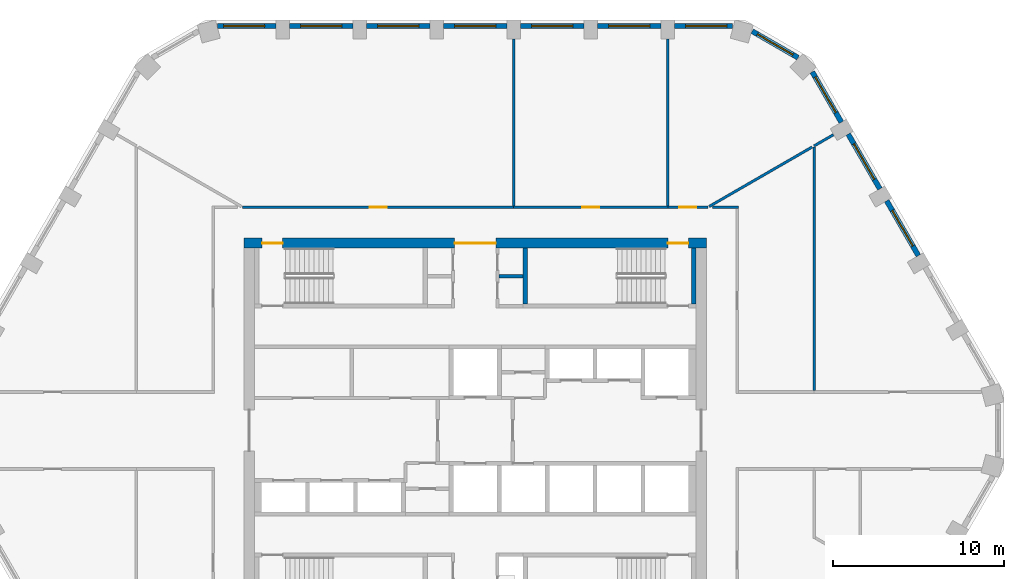
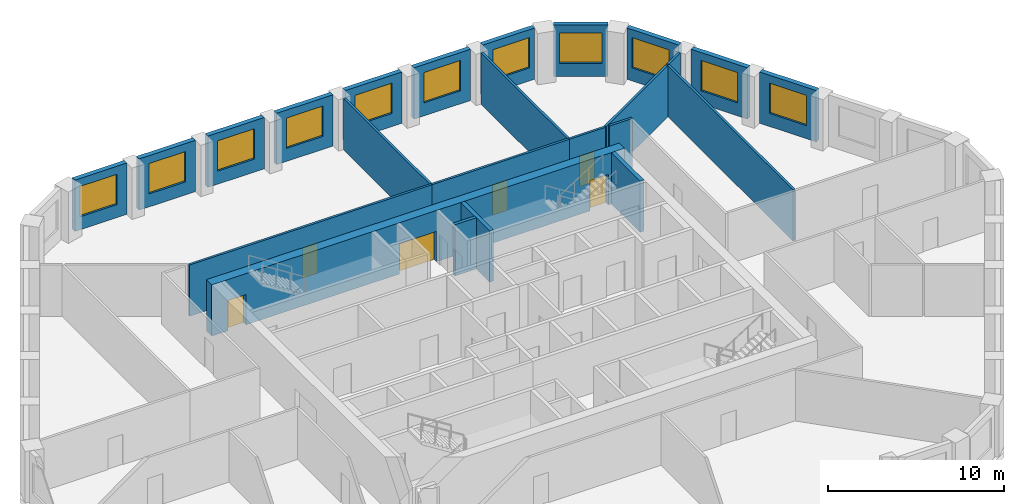
# One storey, part 6 of 8: 24 walls, 11 windows, 6 doors, 17 openings.
"""IFC4 building model written with IfcOpenShell, lengths in metres."""

from ifc_helpers import new_model, si_unit, direction, frame, frame_2d, origin, place, context, subcontext, project, spatial, rectangle, extrude, material, layer, layer_set, type_object, element, fill, save


model = new_model("IFC4")

# Units and contexts
model_context = context("Model", 3, precision=1e-05, world=origin(), true_north=direction((0.0, 1.0)))
body_context = subcontext(model_context, "Body", "Model", "MODEL_VIEW")
ifc_project = project(units=[si_unit("LENGTHUNIT", "METRE"), si_unit("AREAUNIT", "SQUARE_METRE"), si_unit("VOLUMEUNIT", "CUBIC_METRE"), si_unit("PLANEANGLEUNIT", "RADIAN"), si_unit("MASSUNIT", "GRAM", prefix="KILO")], contexts=[model_context])

# Site, building, storey
site_placement = place(None, origin())
site = spatial("IfcSite", under=ifc_project, at=site_placement, CompositionType="ELEMENT")
building_placement = place(site_placement, origin())
building = spatial("IfcBuilding", under=site, at=building_placement, Name="Dhurran Vertical Campus", CompositionType="ELEMENT")
storey_placement = place(building_placement, frame((0.0, 0.0, 222.89990234375)))
storey = spatial("IfcBuildingStorey", under=building, at=storey_placement, Name="L55", CompositionType="ELEMENT", Elevation=222.89990234375)

# Wall, opening, window
ifc_material_1 = material(Name="Precast concrete C50/60", Category="concrete")
ifc_layer_1 = layer(ifc_material_1, 0.300048828125)
ifc_layer_set_1 = layer_set([ifc_layer_1], Name="Precast concrete C50/60")
wall_type_1 = type_object("IfcWallType", Name="Precast spandrel wall 300", PredefinedType="SOLIDWALL", material=ifc_layer_set_1)
wall_1_placement = place(storey_placement, frame((25.893798828125, 10.216064453125, 0.0), z_axis=(0.0, 0.0, 1.0), x_axis=(-0.500029062817, 0.866008623709, 0.0)))
wall_1 = element("IfcWall", 1, at=wall_1_placement, inside=storey, type_object=wall_type_1, Name="EW1 L55.16", PredefinedType="SOLIDWALL", context=body_context, shape_type="SweptSolid", body=[
    extrude(rectangle(XDim=3.698974609375, YDim=0.300048828125, at=frame_2d((1.849609375, 0.0))), origin(), (0.0, 0.0, 1.0), 3.550048828125),
])
opening_1_placement = place(wall_1_placement, frame((0.6494140625, 0.0, 0.89990234375)))
opening_1 = element("IfcOpeningElement", 2, at=opening_1_placement, cuts=wall_1, Name="Opening WT1", PredefinedType="OPENING", context=body_context, shape_type="SweptSolid", body=[
    extrude(rectangle(XDim=2.39990234375, YDim=2.10009765625, at=frame_2d((1.199951171875, 1.050048828125))), frame((0.0, 0.159912109375, 0.0), z_axis=(0.0, -1.0, 0.0), x_axis=(1.0, 0.0, 0.0)), (0.0, 0.0, 1.0), 0.320068359375),
])
ifc_material_2 = material(Name="Aluminium frame with solar-control glass", Category="aluminium")
window_type = type_object("IfcWindowType", Name="Punched window 2400 x 2100", PartitioningType="SINGLE_PANEL", PredefinedType="WINDOW", material=ifc_material_2)
window_1_placement = place(opening_1_placement, origin())
window_1 = element("IfcWindow", 3, at=window_1_placement, inside=storey, type_object=window_type, Name="WT1 L55.16", OverallHeight=2.10009765625, OverallWidth=2.39990234375, PartitioningType="SINGLE_PANEL", PredefinedType="WINDOW", context=body_context, shape_type="SweptSolid", body=[
    extrude(rectangle(XDim=2.39990234375, YDim=2.10009765625, at=frame_2d((1.199951171875, 1.050048828125))), frame((0.0, 0.030029296875, 0.0), z_axis=(0.0, -1.0, 0.0), x_axis=(1.0, 0.0, 0.0)), (0.0, 0.0, 1.0), 0.06005859375),
])
fill(opening_1, window_1)

wall_2_placement = place(storey_placement, frame((23.643798828125, 14.11328125, 0.0), z_axis=(0.0, 0.0, 1.0), x_axis=(-0.500029062817, 0.866008623709, 0.0)))
wall_2 = element("IfcWall", 4, at=wall_2_placement, inside=storey, type_object=wall_type_1, Name="EW1 L55.17", PredefinedType="SOLIDWALL", context=body_context, shape_type="SweptSolid", body=[
    extrude(rectangle(XDim=3.698974609375, YDim=0.300048828125, at=frame_2d((1.849609375, 0.0))), origin(), (0.0, 0.0, 1.0), 3.550048828125),
])
opening_2_placement = place(wall_2_placement, frame((0.6494140625, 0.0, 0.89990234375)))
opening_2 = element("IfcOpeningElement", 5, at=opening_2_placement, cuts=wall_2, Name="Opening WT1", PredefinedType="OPENING", context=body_context, shape_type="SweptSolid", body=[
    extrude(rectangle(XDim=2.39990234375, YDim=2.10009765625, at=frame_2d((1.199951171875, 1.050048828125))), frame((0.0, 0.159912109375, 0.0), z_axis=(0.0, -1.0, 0.0), x_axis=(1.0, 0.0, 0.0)), (0.0, 0.0, 1.0), 0.320068359375),
])
window_2_placement = place(opening_2_placement, origin())
window_2 = element("IfcWindow", 6, at=window_2_placement, inside=storey, type_object=window_type, Name="WT1 L55.17", OverallHeight=2.10009765625, OverallWidth=2.39990234375, PartitioningType="SINGLE_PANEL", PredefinedType="WINDOW", context=body_context, shape_type="SweptSolid", body=[
    extrude(rectangle(XDim=2.39990234375, YDim=2.10009765625, at=frame_2d((1.199951171875, 1.050048828125))), frame((0.0, 0.030029296875, 0.0), z_axis=(0.0, -1.0, 0.0), x_axis=(1.0, 0.0, 0.0)), (0.0, 0.0, 1.0), 0.06005859375),
])
fill(opening_2, window_2)

wall_3_placement = place(storey_placement, frame((21.393798828125, 18.01025390625, 0.0), z_axis=(0.0, 0.0, 1.0), x_axis=(-0.500012868213, 0.866017974191, 0.0)))
wall_3 = element("IfcWall", 7, at=wall_3_placement, inside=storey, type_object=wall_type_1, Name="EW1 L55.18", PredefinedType="SOLIDWALL", context=body_context, shape_type="SweptSolid", body=[
    extrude(rectangle(XDim=3.39599609375, YDim=0.300048828125, at=frame_2d((1.697998046875, 0.0))), origin(), (0.0, 0.0, 1.0), 3.550048828125),
])
opening_3_placement = place(wall_3_placement, frame((0.6494140625, 0.0, 0.89990234375)))
opening_3 = element("IfcOpeningElement", 8, at=opening_3_placement, cuts=wall_3, Name="Opening WT1", PredefinedType="OPENING", context=body_context, shape_type="SweptSolid", body=[
    extrude(rectangle(XDim=2.39990234375, YDim=2.10009765625, at=frame_2d((1.199951171875, 1.050048828125))), frame((0.0, 0.159912109375, 0.0), z_axis=(0.0, -1.0, 0.0), x_axis=(1.0, 0.0, 0.0)), (0.0, 0.0, 1.0), 0.320068359375),
])
window_3_placement = place(opening_3_placement, origin())
window_3 = element("IfcWindow", 9, at=window_3_placement, inside=storey, type_object=window_type, Name="WT1 L55.18", OverallHeight=2.10009765625, OverallWidth=2.39990234375, PartitioningType="SINGLE_PANEL", PredefinedType="WINDOW", context=body_context, shape_type="SweptSolid", body=[
    extrude(rectangle(XDim=2.39990234375, YDim=2.10009765625, at=frame_2d((1.199951171875, 1.050048828125))), frame((0.0, 0.030029296875, 0.0), z_axis=(0.0, -1.0, 0.0), x_axis=(1.0, 0.0, 0.0)), (0.0, 0.0, 1.0), 0.06005859375),
])
fill(opening_3, window_3)

wall_4_placement = place(storey_placement, frame((18.86279296875, 21.7841796875, 0.0), z_axis=(0.0, 0.0, 1.0), x_axis=(-0.865994975416, 0.500052699777, 0.0)))
wall_4 = element("IfcWall", 10, at=wall_4_placement, inside=storey, type_object=wall_type_1, Name="EW1 L55.19", PredefinedType="SOLIDWALL", context=body_context, shape_type="SweptSolid", body=[
    extrude(rectangle(XDim=3.093017578125, YDim=0.300048828125, at=frame_2d((1.54638671875, 0.0))), origin(), (0.0, 0.0, 1.0), 3.550048828125),
])
opening_4_placement = place(wall_4_placement, frame((0.34619140625, 0.0, 0.89990234375)))
opening_4 = element("IfcOpeningElement", 11, at=opening_4_placement, cuts=wall_4, Name="Opening WT1", PredefinedType="OPENING", context=body_context, shape_type="SweptSolid", body=[
    extrude(rectangle(XDim=2.39990234375, YDim=2.10009765625, at=frame_2d((1.199951171875, 1.050048828125))), frame((0.0, 0.159912109375, 0.0), z_axis=(0.0, -1.0, 0.0), x_axis=(1.0, 0.0, 0.0)), (0.0, 0.0, 1.0), 0.320068359375),
])
window_4_placement = place(opening_4_placement, origin())
window_4 = element("IfcWindow", 12, at=window_4_placement, inside=storey, type_object=window_type, Name="WT1 L55.19", OverallHeight=2.10009765625, OverallWidth=2.39990234375, PartitioningType="SINGLE_PANEL", PredefinedType="WINDOW", context=body_context, shape_type="SweptSolid", body=[
    extrude(rectangle(XDim=2.39990234375, YDim=2.10009765625, at=frame_2d((1.199951171875, 1.050048828125))), frame((0.0, 0.030029296875, 0.0), z_axis=(0.0, -1.0, 0.0), x_axis=(1.0, 0.0, 0.0)), (0.0, 0.0, 1.0), 0.06005859375),
])
fill(opening_4, window_4)

wall_5_placement = place(storey_placement, frame((15.04638671875, 23.635498046875, 0.0), z_axis=(0.0, 0.0, 1.0), x_axis=(-1.0, 0.0, 0.0)))
wall_5 = element("IfcWall", 13, at=wall_5_placement, inside=storey, type_object=wall_type_1, Name="EW1 L55.20", PredefinedType="SOLIDWALL", context=body_context, shape_type="SweptSolid", body=[
    extrude(rectangle(XDim=3.39599609375, YDim=0.300048828125, at=frame_2d((1.697998046875, 0.0))), origin(), (0.0, 0.0, 1.0), 3.550048828125),
])
opening_5_placement = place(wall_5_placement, frame((0.34619140625, 0.0, 0.89990234375)))
opening_5 = element("IfcOpeningElement", 14, at=opening_5_placement, cuts=wall_5, Name="Opening WT1", PredefinedType="OPENING", context=body_context, shape_type="SweptSolid", body=[
    extrude(rectangle(XDim=2.39990234375, YDim=2.10009765625, at=frame_2d((1.199951171875, 1.050048828125))), frame((0.0, 0.159912109375, 0.0), z_axis=(0.0, -1.0, 0.0), x_axis=(1.0, 0.0, 0.0)), (0.0, 0.0, 1.0), 0.320068359375),
])
window_5_placement = place(opening_5_placement, origin())
window_5 = element("IfcWindow", 15, at=window_5_placement, inside=storey, type_object=window_type, Name="WT1 L55.20", OverallHeight=2.10009765625, OverallWidth=2.39990234375, PartitioningType="SINGLE_PANEL", PredefinedType="WINDOW", context=body_context, shape_type="SweptSolid", body=[
    extrude(rectangle(XDim=2.39990234375, YDim=2.10009765625, at=frame_2d((1.199951171875, 1.050048828125))), frame((0.0, 0.030029296875, 0.0), z_axis=(0.0, -1.0, 0.0), x_axis=(1.0, 0.0, 0.0)), (0.0, 0.0, 1.0), 0.06005859375),
])
fill(opening_5, window_5)

wall_6_placement = place(storey_placement, frame((10.849609375, 23.635498046875, 0.0), z_axis=(0.0, 0.0, 1.0), x_axis=(-1.0, 0.0, 0.0)))
wall_6 = element("IfcWall", 16, at=wall_6_placement, inside=storey, type_object=wall_type_1, Name="EW1 L55.21", PredefinedType="SOLIDWALL", context=body_context, shape_type="SweptSolid", body=[
    extrude(rectangle(XDim=3.69921875, YDim=0.300048828125, at=frame_2d((1.849609375, 0.0))), origin(), (0.0, 0.0, 1.0), 3.550048828125),
])
opening_6_placement = place(wall_6_placement, frame((0.6494140625, 0.0, 0.89990234375)))
opening_6 = element("IfcOpeningElement", 17, at=opening_6_placement, cuts=wall_6, Name="Opening WT1", PredefinedType="OPENING", context=body_context, shape_type="SweptSolid", body=[
    extrude(rectangle(XDim=2.39990234375, YDim=2.10009765625, at=frame_2d((1.199951171875, 1.050048828125))), frame((0.0, 0.159912109375, 0.0), z_axis=(0.0, -1.0, 0.0), x_axis=(1.0, 0.0, 0.0)), (0.0, 0.0, 1.0), 0.320068359375),
])
window_6_placement = place(opening_6_placement, origin())
window_6 = element("IfcWindow", 18, at=window_6_placement, inside=storey, type_object=window_type, Name="WT1 L55.21", OverallHeight=2.10009765625, OverallWidth=2.39990234375, PartitioningType="SINGLE_PANEL", PredefinedType="WINDOW", context=body_context, shape_type="SweptSolid", body=[
    extrude(rectangle(XDim=2.39990234375, YDim=2.10009765625, at=frame_2d((1.199951171875, 1.050048828125))), frame((0.0, 0.030029296875, 0.0), z_axis=(0.0, -1.0, 0.0), x_axis=(1.0, 0.0, 0.0)), (0.0, 0.0, 1.0), 0.06005859375),
])
fill(opening_6, window_6)

wall_7_placement = place(storey_placement, frame((6.349609375, 23.635498046875, 0.0), z_axis=(0.0, 0.0, 1.0), x_axis=(-1.0, 0.0, 0.0)))
wall_7 = element("IfcWall", 19, at=wall_7_placement, inside=storey, type_object=wall_type_1, Name="EW1 L55.22", PredefinedType="SOLIDWALL", context=body_context, shape_type="SweptSolid", body=[
    extrude(rectangle(XDim=3.69921875, YDim=0.300048828125, at=frame_2d((1.849609375, 0.0))), origin(), (0.0, 0.0, 1.0), 3.550048828125),
])
opening_7_placement = place(wall_7_placement, frame((0.6494140625, 0.0, 0.89990234375)))
opening_7 = element("IfcOpeningElement", 20, at=opening_7_placement, cuts=wall_7, Name="Opening WT1", PredefinedType="OPENING", context=body_context, shape_type="SweptSolid", body=[
    extrude(rectangle(XDim=2.39990234375, YDim=2.10009765625, at=frame_2d((1.199951171875, 1.050048828125))), frame((0.0, 0.159912109375, 0.0), z_axis=(0.0, -1.0, 0.0), x_axis=(1.0, 0.0, 0.0)), (0.0, 0.0, 1.0), 0.320068359375),
])
window_7_placement = place(opening_7_placement, origin())
window_7 = element("IfcWindow", 21, at=window_7_placement, inside=storey, type_object=window_type, Name="WT1 L55.22", OverallHeight=2.10009765625, OverallWidth=2.39990234375, PartitioningType="SINGLE_PANEL", PredefinedType="WINDOW", context=body_context, shape_type="SweptSolid", body=[
    extrude(rectangle(XDim=2.39990234375, YDim=2.10009765625, at=frame_2d((1.199951171875, 1.050048828125))), frame((0.0, 0.030029296875, 0.0), z_axis=(0.0, -1.0, 0.0), x_axis=(1.0, 0.0, 0.0)), (0.0, 0.0, 1.0), 0.06005859375),
])
fill(opening_7, window_7)

wall_8_placement = place(storey_placement, frame((1.849609375, 23.635498046875, 0.0), z_axis=(0.0, 0.0, 1.0), x_axis=(-1.0, 0.0, 0.0)))
wall_8 = element("IfcWall", 22, at=wall_8_placement, inside=storey, type_object=wall_type_1, Name="EW1 L55.23", PredefinedType="SOLIDWALL", context=body_context, shape_type="SweptSolid", body=[
    extrude(rectangle(XDim=3.69921875, YDim=0.300048828125, at=frame_2d((1.849609375, 0.0))), origin(), (0.0, 0.0, 1.0), 3.550048828125),
])
opening_8_placement = place(wall_8_placement, frame((0.6494140625, 0.0, 0.89990234375)))
opening_8 = element("IfcOpeningElement", 23, at=opening_8_placement, cuts=wall_8, Name="Opening WT1", PredefinedType="OPENING", context=body_context, shape_type="SweptSolid", body=[
    extrude(rectangle(XDim=2.39990234375, YDim=2.10009765625, at=frame_2d((1.199951171875, 1.050048828125))), frame((0.0, 0.159912109375, 0.0), z_axis=(0.0, -1.0, 0.0), x_axis=(1.0, 0.0, 0.0)), (0.0, 0.0, 1.0), 0.320068359375),
])
window_8_placement = place(opening_8_placement, origin())
window_8 = element("IfcWindow", 24, at=window_8_placement, inside=storey, type_object=window_type, Name="WT1 L55.23", OverallHeight=2.10009765625, OverallWidth=2.39990234375, PartitioningType="SINGLE_PANEL", PredefinedType="WINDOW", context=body_context, shape_type="SweptSolid", body=[
    extrude(rectangle(XDim=2.39990234375, YDim=2.10009765625, at=frame_2d((1.199951171875, 1.050048828125))), frame((0.0, 0.030029296875, 0.0), z_axis=(0.0, -1.0, 0.0), x_axis=(1.0, 0.0, 0.0)), (0.0, 0.0, 1.0), 0.06005859375),
])
fill(opening_8, window_8)

wall_9_placement = place(storey_placement, frame((-2.650390625, 23.635498046875, 0.0), z_axis=(0.0, 0.0, 1.0), x_axis=(-1.0, 0.0, 0.0)))
wall_9 = element("IfcWall", 25, at=wall_9_placement, inside=storey, type_object=wall_type_1, Name="EW1 L55.24", PredefinedType="SOLIDWALL", context=body_context, shape_type="SweptSolid", body=[
    extrude(rectangle(XDim=3.69921875, YDim=0.300048828125, at=frame_2d((1.849609375, 0.0))), origin(), (0.0, 0.0, 1.0), 3.550048828125),
])
opening_9_placement = place(wall_9_placement, frame((0.6494140625, 0.0, 0.89990234375)))
opening_9 = element("IfcOpeningElement", 26, at=opening_9_placement, cuts=wall_9, Name="Opening WT1", PredefinedType="OPENING", context=body_context, shape_type="SweptSolid", body=[
    extrude(rectangle(XDim=2.39990234375, YDim=2.10009765625, at=frame_2d((1.199951171875, 1.050048828125))), frame((0.0, 0.159912109375, 0.0), z_axis=(0.0, -1.0, 0.0), x_axis=(1.0, 0.0, 0.0)), (0.0, 0.0, 1.0), 0.320068359375),
])
window_9_placement = place(opening_9_placement, origin())
window_9 = element("IfcWindow", 27, at=window_9_placement, inside=storey, type_object=window_type, Name="WT1 L55.24", OverallHeight=2.10009765625, OverallWidth=2.39990234375, PartitioningType="SINGLE_PANEL", PredefinedType="WINDOW", context=body_context, shape_type="SweptSolid", body=[
    extrude(rectangle(XDim=2.39990234375, YDim=2.10009765625, at=frame_2d((1.199951171875, 1.050048828125))), frame((0.0, 0.030029296875, 0.0), z_axis=(0.0, -1.0, 0.0), x_axis=(1.0, 0.0, 0.0)), (0.0, 0.0, 1.0), 0.06005859375),
])
fill(opening_9, window_9)

wall_10_placement = place(storey_placement, frame((-7.150390625, 23.635498046875, 0.0), z_axis=(0.0, 0.0, 1.0), x_axis=(-1.0, 0.0, 0.0)))
wall_10 = element("IfcWall", 28, at=wall_10_placement, inside=storey, type_object=wall_type_1, Name="EW1 L55.25", PredefinedType="SOLIDWALL", context=body_context, shape_type="SweptSolid", body=[
    extrude(rectangle(XDim=3.69921875, YDim=0.300048828125, at=frame_2d((1.849609375, 0.0))), origin(), (0.0, 0.0, 1.0), 3.550048828125),
])
opening_10_placement = place(wall_10_placement, frame((0.6494140625, 0.0, 0.89990234375)))
opening_10 = element("IfcOpeningElement", 29, at=opening_10_placement, cuts=wall_10, Name="Opening WT1", PredefinedType="OPENING", context=body_context, shape_type="SweptSolid", body=[
    extrude(rectangle(XDim=2.39990234375, YDim=2.10009765625, at=frame_2d((1.199951171875, 1.050048828125))), frame((0.0, 0.159912109375, 0.0), z_axis=(0.0, -1.0, 0.0), x_axis=(1.0, 0.0, 0.0)), (0.0, 0.0, 1.0), 0.320068359375),
])
window_10_placement = place(opening_10_placement, origin())
window_10 = element("IfcWindow", 30, at=window_10_placement, inside=storey, type_object=window_type, Name="WT1 L55.25", OverallHeight=2.10009765625, OverallWidth=2.39990234375, PartitioningType="SINGLE_PANEL", PredefinedType="WINDOW", context=body_context, shape_type="SweptSolid", body=[
    extrude(rectangle(XDim=2.39990234375, YDim=2.10009765625, at=frame_2d((1.199951171875, 1.050048828125))), frame((0.0, 0.030029296875, 0.0), z_axis=(0.0, -1.0, 0.0), x_axis=(1.0, 0.0, 0.0)), (0.0, 0.0, 1.0), 0.06005859375),
])
fill(opening_10, window_10)

wall_11_placement = place(storey_placement, frame((-11.650390625, 23.635498046875, 0.0), z_axis=(0.0, 0.0, 1.0), x_axis=(-1.0, 0.0, 0.0)))
wall_11 = element("IfcWall", 31, at=wall_11_placement, inside=storey, type_object=wall_type_1, Name="EW1 L55.26", PredefinedType="SOLIDWALL", context=body_context, shape_type="SweptSolid", body=[
    extrude(rectangle(XDim=3.39599609375, YDim=0.300048828125, at=frame_2d((1.697998046875, 0.0))), origin(), (0.0, 0.0, 1.0), 3.550048828125),
])
opening_11_placement = place(wall_11_placement, frame((0.6494140625, 0.0, 0.89990234375)))
opening_11 = element("IfcOpeningElement", 32, at=opening_11_placement, cuts=wall_11, Name="Opening WT1", PredefinedType="OPENING", context=body_context, shape_type="SweptSolid", body=[
    extrude(rectangle(XDim=2.39990234375, YDim=2.10009765625, at=frame_2d((1.199951171875, 1.050048828125))), frame((0.0, 0.159912109375, 0.0), z_axis=(0.0, -1.0, 0.0), x_axis=(1.0, 0.0, 0.0)), (0.0, 0.0, 1.0), 0.320068359375),
])
window_11_placement = place(opening_11_placement, origin())
window_11 = element("IfcWindow", 33, at=window_11_placement, inside=storey, type_object=window_type, Name="WT1 L55.26", OverallHeight=2.10009765625, OverallWidth=2.39990234375, PartitioningType="SINGLE_PANEL", PredefinedType="WINDOW", context=body_context, shape_type="SweptSolid", body=[
    extrude(rectangle(XDim=2.39990234375, YDim=2.10009765625, at=frame_2d((1.199951171875, 1.050048828125))), frame((0.0, 0.030029296875, 0.0), z_axis=(0.0, -1.0, 0.0), x_axis=(1.0, 0.0, 0.0)), (0.0, 0.0, 1.0), 0.06005859375),
])
fill(opening_11, window_11)

# Wall, openings, doors
ifc_material_3 = material(Name="Concrete C50/60", Category="concrete")
ifc_layer_2 = layer(ifc_material_3, 0.60009765625)
ifc_layer_set_2 = layer_set([ifc_layer_2], Name="Concrete C50/60")
wall_type_2 = type_object("IfcWallType", Name="co-CORE-WALL-C2-600", PredefinedType="SHEAR", material=ifc_layer_set_2)
wall_12_placement = place(storey_placement, frame((-13.5, 10.949951171875, 0.0), z_axis=(0.0, 0.0, 1.0), x_axis=(1.0, 0.0, 0.0)))
wall_12 = element("IfcWall", 34, at=wall_12_placement, inside=storey, type_object=wall_type_2, Name="Core wall N L55", PredefinedType="SHEAR", context=body_context, shape_type="SweptSolid", body=[
    extrude(rectangle(XDim=27.0, YDim=0.60009765625, at=frame_2d((13.5, 0.0))), origin(), (0.0, 0.0, 1.0), 3.550048828125),
])
opening_12_placement = place(wall_12_placement, frame((12.300048828125, 0.0, 0.0)))
opening_12 = element("IfcOpeningElement", 35, at=opening_12_placement, cuts=wall_12, Name="Opening CV1", PredefinedType="OPENING", context=body_context, shape_type="SweptSolid", body=[
    extrude(rectangle(XDim=2.39990234375, YDim=2.10009765625, at=frame_2d((1.199951171875, 1.050048828125))), frame((0.0, 0.31005859375, 0.0), z_axis=(0.0, -1.0, 0.0), x_axis=(1.0, 0.0, 0.0)), (0.0, 0.0, 1.0), 0.6201171875),
])
opening_13_placement = place(wall_12_placement, frame((1.050048828125, 0.0, 0.0)))
opening_13 = element("IfcOpeningElement", 36, at=opening_13_placement, cuts=wall_12, Name="Opening XD1", PredefinedType="OPENING", context=body_context, shape_type="SweptSolid", body=[
    extrude(rectangle(XDim=1.199951171875, YDim=2.10009765625, at=frame_2d((0.60009765625, 1.050048828125))), frame((0.0, 0.31005859375, 0.0), z_axis=(0.0, -1.0, 0.0), x_axis=(1.0, 0.0, 0.0)), (0.0, 0.0, 1.0), 0.6201171875),
])
opening_14_placement = place(wall_12_placement, frame((24.75, 0.0, 0.0)))
opening_14 = element("IfcOpeningElement", 37, at=opening_14_placement, cuts=wall_12, Name="Opening XD2", PredefinedType="OPENING", context=body_context, shape_type="SweptSolid", body=[
    extrude(rectangle(XDim=1.199951171875, YDim=2.10009765625, at=frame_2d((0.60009765625, 1.050048828125))), frame((0.0, 0.31005859375, 0.0), z_axis=(0.0, -1.0, 0.0), x_axis=(1.0, 0.0, 0.0)), (0.0, 0.0, 1.0), 0.6201171875),
])
ifc_material_4 = material(Name="Fire-rated glazed door set")
door_type_1 = type_object("IfcDoorType", Name="co-D-LOBBY 2400x2100", OperationType="DOUBLE_DOOR_DOUBLE_SWING", PredefinedType="DOOR", material=ifc_material_4)
door_1_placement = place(opening_12_placement, origin())
door_1 = element("IfcDoor", 38, at=door_1_placement, inside=storey, type_object=door_type_1, Name="Core vestibule door N L55", OperationType="DOUBLE_DOOR_DOUBLE_SWING", OverallHeight=2.10009765625, OverallWidth=2.39990234375, PredefinedType="DOOR", context=body_context, shape_type="SweptSolid", body=[
    extrude(rectangle(XDim=2.39990234375, YDim=2.10009765625, at=frame_2d((1.199951171875, 1.050048828125))), frame((0.0, 0.02490234375, 0.0), z_axis=(0.0, -1.0, 0.0), x_axis=(1.0, 0.0, 0.0)), (0.0, 0.0, 1.0), 0.050048828125),
])
fill(opening_12, door_1)
ifc_material_5 = material(Name="Fire-rated steel door set", Category="steel")
door_type_2 = type_object("IfcDoorType", Name="co-D-STAIR-EXIT 1200x2100", OperationType="SINGLE_SWING_RIGHT", PredefinedType="DOOR", material=ifc_material_5)
door_2_placement = place(opening_13_placement, origin())
door_2 = element("IfcDoor", 39, at=door_2_placement, inside=storey, type_object=door_type_2, Name="Stair ST1 exit door L55", OperationType="SINGLE_SWING_RIGHT", OverallHeight=2.10009765625, OverallWidth=1.199951171875, PredefinedType="DOOR", context=body_context, shape_type="SweptSolid", body=[
    extrude(rectangle(XDim=1.199951171875, YDim=2.10009765625, at=frame_2d((0.60009765625, 1.050048828125))), frame((0.0, 0.02490234375, 0.0), z_axis=(0.0, -1.0, 0.0), x_axis=(1.0, 0.0, 0.0)), (0.0, 0.0, 1.0), 0.050048828125),
])
fill(opening_13, door_2)
door_3_placement = place(opening_14_placement, origin())
door_3 = element("IfcDoor", 40, at=door_3_placement, inside=storey, type_object=door_type_2, Name="Stair ST2 exit door L55", OperationType="SINGLE_SWING_RIGHT", OverallHeight=2.10009765625, OverallWidth=1.199951171875, PredefinedType="DOOR", context=body_context, shape_type="SweptSolid", body=[
    extrude(rectangle(XDim=1.199951171875, YDim=2.10009765625, at=frame_2d((0.60009765625, 1.050048828125))), frame((0.0, 0.02490234375, 0.0), z_axis=(0.0, -1.0, 0.0), x_axis=(1.0, 0.0, 0.0)), (0.0, 0.0, 1.0), 0.050048828125),
])
fill(opening_14, door_3)

# Walls
ifc_material_6 = material(Name="Fire-rated masonry blockwork", Category="masonry")
ifc_layer_3 = layer(ifc_material_6, 0.199951171875)
ifc_layer_set_3 = layer_set([ifc_layer_3], Name="Fire-rated masonry blockwork")
wall_type_3 = type_object("IfcWallType", Name="co-FIRE-PARTITION-200", PredefinedType="PARTITIONING", material=ifc_layer_set_3)
wall_13_placement = place(storey_placement, frame((1.39990234375, 9.0, 0.0), z_axis=(0.0, 0.0, 1.0), x_axis=(1.0, 0.0, 0.0)))
element("IfcWall", 41, at=wall_13_placement, inside=storey, type_object=wall_type_3, Name="Core partition sl-NE-cut0 L55", PredefinedType="PARTITIONING", context=body_context, shape_type="SweptSolid", body=[
    extrude(rectangle(XDim=1.400146484375, YDim=0.199951171875, at=frame_2d((0.7001953125, 0.0))), origin(), (0.0, 0.0, 1.0), 3.550048828125),
])
ifc_material_7 = material(Name="Concrete C40/50", Category="concrete")
ifc_layer_4 = layer(ifc_material_7, 0.25)
ifc_layer_set_4 = layer_set([ifc_layer_4], Name="Concrete C40/50")
wall_type_4 = type_object("IfcWallType", Name="co-STAIR-WALL-250", PredefinedType="SHEAR", material=ifc_layer_set_4)
for number, where, z_axis, x_axis, name in (
    (42, (2.925048828125, 7.39990234375, 0.0), (0.0, 0.0, 1.0), (0.0, 1.0, 0.0), "Stair ST2 enclosure wall L55"),
    (43, (12.77490234375, 7.39990234375, 0.0), (0.0, 0.0, 1.0), (0.0, 1.0, 0.0), "Stair ST2 enclosure wall L55"),
):
    element("IfcWall", number, at=place(storey_placement, frame(where, z_axis=z_axis, x_axis=x_axis)), inside=storey, type_object=wall_type_4, Name=name, PredefinedType="SHEAR", context=body_context, shape_type="SweptSolid", body=[
        extrude(rectangle(XDim=3.25, YDim=0.25, at=frame_2d((1.625, 0.0))), origin(), (0.0, 0.0, 1.0), 3.550048828125),
    ])

# Wall, opening, door
ifc_material_8 = material(Name="Gypsum board corridor wall on steel studs", Category="steel")
ifc_layer_5 = layer(ifc_material_8, 0.14990234375)
ifc_layer_set_5 = layer_set([ifc_layer_5], Name="Gypsum board corridor wall on steel studs")
wall_type_5 = type_object("IfcWallType", Name="fl-CW-150 corridor wall", PredefinedType="PARTITIONING", material=ifc_layer_set_5)
wall_14_placement = place(storey_placement, frame((2.25, 13.050048828125, 0.0), z_axis=(0.0, 0.0, 1.0), x_axis=(-1.0, 0.0, 0.0)))
wall_14 = element("IfcWall", 44, at=wall_14_placement, inside=storey, type_object=wall_type_5, Name="Partition 55-16", PredefinedType="PARTITIONING", context=body_context, shape_type="SweptSolid", body=[
    extrude(rectangle(XDim=15.85302734375, YDim=0.14990234375, at=frame_2d((7.926513671875, 0.0))), origin(), (0.0, 0.0, 1.0), 3.550048828125),
])
opening_15_placement = place(wall_14_placement, frame((7.426513671875, 0.0, 0.0)))
opening_15 = element("IfcOpeningElement", 45, at=opening_15_placement, cuts=wall_14, Name="Opening T16.06", PredefinedType="OPENING", context=body_context, shape_type="SweptSolid", body=[
    extrude(rectangle(XDim=1.0, YDim=2.10009765625, at=frame_2d((0.5, 1.050048828125))), frame((0.0, 0.0849609375, 0.0), z_axis=(0.0, -1.0, 0.0), x_axis=(1.0, 0.0, 0.0)), (0.0, 0.0, 1.0), 0.169921875),
])
ifc_material_9 = material(Name="Solid-core timber door set, fire-rated", Category="wood")
door_type_3 = type_object("IfcDoorType", Name="fl-D-1000x2100", OperationType="SINGLE_SWING_LEFT", PredefinedType="DOOR", material=ifc_material_9)
door_4_placement = place(opening_15_placement, origin())
door_4 = element("IfcDoor", 46, at=door_4_placement, inside=storey, type_object=door_type_3, Name="Door 55.06", OperationType="SINGLE_SWING_RIGHT", OverallHeight=2.10009765625, OverallWidth=1.0, PredefinedType="DOOR", context=body_context, shape_type="SweptSolid", body=[
    extrude(rectangle(XDim=1.0, YDim=2.10009765625, at=frame_2d((0.5, 1.050048828125))), frame((0.0, 0.02490234375, 0.0), z_axis=(0.0, -1.0, 0.0), x_axis=(1.0, 0.0, 0.0)), (0.0, 0.0, 1.0), 0.050048828125),
])
fill(opening_15, door_4)

wall_15_placement = place(storey_placement, frame((11.25, 13.050048828125, 0.0), z_axis=(0.0, 0.0, 1.0), x_axis=(-1.0, 0.0, 0.0)))
wall_15 = element("IfcWall", 47, at=wall_15_placement, inside=storey, type_object=wall_type_5, Name="Partition 55-20", PredefinedType="PARTITIONING", context=body_context, shape_type="SweptSolid", body=[
    extrude(rectangle(XDim=9.0, YDim=0.14990234375, at=frame_2d((4.5, 0.0))), origin(), (0.0, 0.0, 1.0), 3.550048828125),
])
opening_16_placement = place(wall_15_placement, frame((4.0, 0.0, 0.0)))
opening_16 = element("IfcOpeningElement", 48, at=opening_16_placement, cuts=wall_15, Name="Opening T16.07", PredefinedType="OPENING", context=body_context, shape_type="SweptSolid", body=[
    extrude(rectangle(XDim=1.0, YDim=2.10009765625, at=frame_2d((0.5, 1.050048828125))), frame((0.0, 0.0849609375, 0.0), z_axis=(0.0, -1.0, 0.0), x_axis=(1.0, 0.0, 0.0)), (0.0, 0.0, 1.0), 0.169921875),
])
door_5_placement = place(opening_16_placement, origin())
door_5 = element("IfcDoor", 49, at=door_5_placement, inside=storey, type_object=door_type_3, Name="Door 55.07", OperationType="SINGLE_SWING_LEFT", OverallHeight=2.10009765625, OverallWidth=1.0, PredefinedType="DOOR", context=body_context, shape_type="SweptSolid", body=[
    extrude(rectangle(XDim=1.0, YDim=2.10009765625, at=frame_2d((0.5, 1.050048828125))), frame((0.0, 0.02490234375, 0.0), z_axis=(0.0, -1.0, 0.0), x_axis=(1.0, 0.0, 0.0)), (0.0, 0.0, 1.0), 0.050048828125),
])
fill(opening_16, door_5)

wall_16_placement = place(storey_placement, frame((13.60302734375, 13.050048828125, 0.0), z_axis=(0.0, 0.0, 1.0), x_axis=(-1.0, 0.0, 0.0)))
wall_16 = element("IfcWall", 50, at=wall_16_placement, inside=storey, type_object=wall_type_5, Name="Partition 55-24", PredefinedType="PARTITIONING", context=body_context, shape_type="SweptSolid", body=[
    extrude(rectangle(XDim=2.35302734375, YDim=0.14990234375, at=frame_2d((1.176513671875, 0.0))), origin(), (0.0, 0.0, 1.0), 3.550048828125),
])
opening_17_placement = place(wall_16_placement, frame((0.676513671875, 0.0, 0.0)))
opening_17 = element("IfcOpeningElement", 51, at=opening_17_placement, cuts=wall_16, Name="Opening T16.09", PredefinedType="OPENING", context=body_context, shape_type="SweptSolid", body=[
    extrude(rectangle(XDim=1.0, YDim=2.10009765625, at=frame_2d((0.5, 1.050048828125))), frame((0.0, 0.0849609375, 0.0), z_axis=(0.0, -1.0, 0.0), x_axis=(1.0, 0.0, 0.0)), (0.0, 0.0, 1.0), 0.169921875),
])
door_6_placement = place(opening_17_placement, origin())
door_6 = element("IfcDoor", 52, at=door_6_placement, inside=storey, type_object=door_type_3, Name="Door 55.09", OperationType="SINGLE_SWING_LEFT", OverallHeight=2.10009765625, OverallWidth=1.0, PredefinedType="DOOR", context=body_context, shape_type="SweptSolid", body=[
    extrude(rectangle(XDim=1.0, YDim=2.10009765625, at=frame_2d((0.5, 1.050048828125))), frame((0.0, 0.02490234375, 0.0), z_axis=(0.0, -1.0, 0.0), x_axis=(1.0, 0.0, 0.0)), (0.0, 0.0, 1.0), 0.050048828125),
])
fill(opening_17, door_6)

# Walls
wall_17_placement = place(storey_placement, frame((15.375, 13.050048828125, 0.0), z_axis=(0.0, 0.0, 1.0), x_axis=(-1.0, 0.0, 0.0)))
element("IfcWall", 53, at=wall_17_placement, inside=storey, type_object=wall_type_5, Name="Partition 55-25", PredefinedType="PARTITIONING", context=body_context, shape_type="SweptSolid", body=[
    extrude(rectangle(XDim=1.4970703125, YDim=0.14990234375, at=frame_2d((0.74853515625, 0.0))), origin(), (0.0, 0.0, 1.0), 3.550048828125),
])
ifc_material_10 = material(Name="Folding acoustic partition panels")
ifc_layer_6 = layer(ifc_material_10, 0.14990234375)
ifc_layer_set_6 = layer_set([ifc_layer_6], Name="Folding acoustic partition panels")
wall_type_6 = type_object("IfcWallType", Name="fl-MW-150 movable partition", PredefinedType="MOVABLE", material=ifc_layer_set_6)
wall_18_placement = place(storey_placement, frame((11.25, 22.865478515625, 0.0), z_axis=(0.0, 0.0, 1.0), x_axis=(0.0, -1.0, 0.0)))
element("IfcWall", 54, at=wall_18_placement, inside=storey, type_object=wall_type_6, Name="Partition 55-23", PredefinedType="MOVABLE", context=body_context, shape_type="SweptSolid", body=[
    extrude(rectangle(XDim=9.740478515625, YDim=0.14990234375, at=frame_2d((4.8701171875, 0.0))), origin(), (0.0, 0.0, 1.0), 3.550048828125),
])
wall_19_placement = place(storey_placement, frame((20.92724609375, 17.2783203125, 0.0), z_axis=(0.0, 0.0, 1.0), x_axis=(-0.866157475642, -0.499771175029, 0.0)))
element("IfcWall", 55, at=wall_19_placement, inside=storey, type_object=wall_type_6, Name="Partition 55-36", PredefinedType="MOVABLE", context=body_context, shape_type="SweptSolid", body=[
    extrude(rectangle(XDim=1.30126953125, YDim=0.14990234375, at=frame_2d((0.650634765625, 0.0))), origin(), (0.0, 0.0, 1.0), 3.550048828125),
])
ifc_material_11 = material(Name="Gypsum board partition on steel studs", Category="steel")
ifc_layer_7 = layer(ifc_material_11, 0.14990234375)
ifc_layer_set_7 = layer_set([ifc_layer_7], Name="Gypsum board partition on steel studs")
wall_type_7 = type_object("IfcWallType", Name="fl-PW-150 fixed partition", PredefinedType="PARTITIONING", material=ifc_layer_set_7)
wall_20_placement = place(storey_placement, frame((2.25, 22.865478515625, 0.0), z_axis=(0.0, 0.0, 1.0), x_axis=(0.0, -1.0, 0.0)))
element("IfcWall", 56, at=wall_20_placement, inside=storey, type_object=wall_type_7, Name="Partition 55-19", PredefinedType="PARTITIONING", context=body_context, shape_type="SweptSolid", body=[
    extrude(rectangle(XDim=9.740478515625, YDim=0.14990234375, at=frame_2d((4.8701171875, 0.0))), origin(), (0.0, 0.0, 1.0), 3.550048828125),
])
wall_21_placement = place(storey_placement, frame((19.6875, 16.56298828125, 0.0), z_axis=(0.0, 0.0, 1.0), x_axis=(-0.866012448988, -0.500022437694, 0.0)))
element("IfcWall", 57, at=wall_21_placement, inside=storey, type_object=wall_type_7, Name="Partition 55-26", PredefinedType="PARTITIONING", context=body_context, shape_type="SweptSolid", body=[
    extrude(rectangle(XDim=6.950927734375, YDim=0.14990234375, at=frame_2d((3.4755859375, 0.0))), origin(), (0.0, 0.0, 1.0), 3.550048828125),
])
wall_22_placement = place(storey_placement, frame((19.800048828125, 16.552978515625, 0.0), z_axis=(0.0, 0.0, 1.0), x_axis=(0.0, -1.0, 0.0)))
element("IfcWall", 58, at=wall_22_placement, inside=storey, type_object=wall_type_7, Name="Partition 55-34", PredefinedType="PARTITIONING", context=body_context, shape_type="SweptSolid", body=[
    extrude(rectangle(XDim=14.22802734375, YDim=0.14990234375, at=frame_2d((7.114013671875, 0.0))), origin(), (0.0, 0.0, 1.0), 3.550048828125),
])

save(model, "model.ifc")
